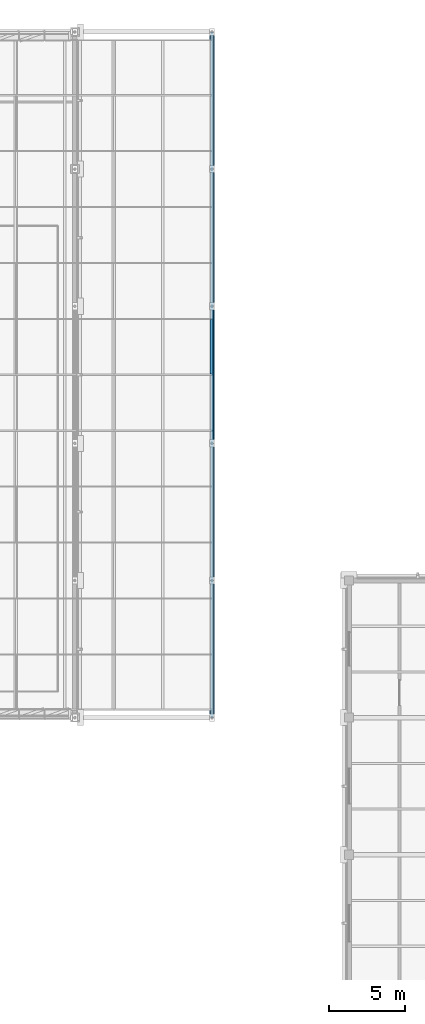
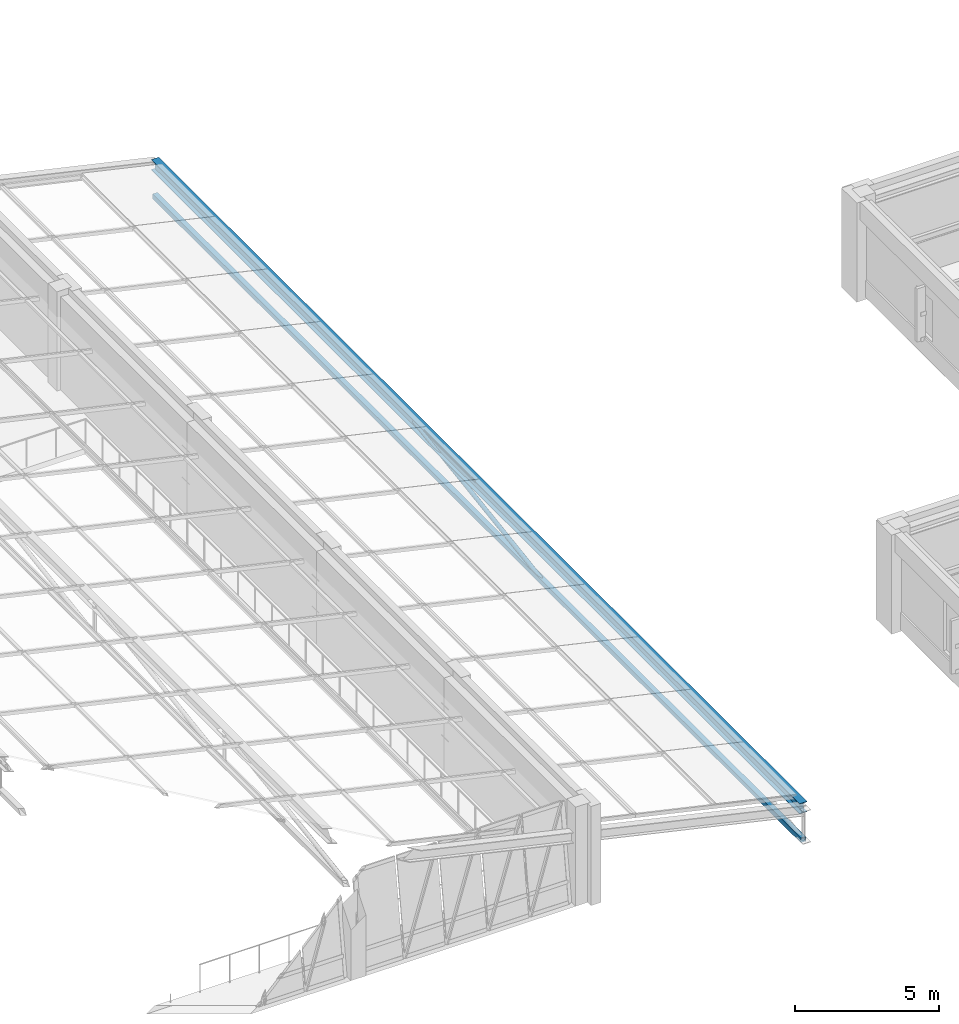
# One storey, part 87 of 130: 4 members, 1 element without a shape of its own.
"""IFC4 building model written with IfcOpenShell, lengths in metres."""

from ifc_helpers import new_model, si_unit, direction, frame, origin, origin_2d, place, context, subcontext, project, spatial, hollow_rectangle, hollow_circle, i_section, extrude, material, material_profile, profile_set, type_object, element, aggregate, save


model = new_model("IFC4")

# Units and contexts
model_context = context("Model", 3, precision=1e-05, world=origin(), true_north=direction((0.0, 1.0)))
body_context = subcontext(model_context, "Body", "Model", "MODEL_VIEW")
ifc_project = project(units=[si_unit("LENGTHUNIT", "METRE"), si_unit("AREAUNIT", "SQUARE_METRE"), si_unit("VOLUMEUNIT", "CUBIC_METRE"), si_unit("PLANEANGLEUNIT", "RADIAN"), si_unit("MASSUNIT", "GRAM", prefix="KILO")], contexts=[model_context])

# Site, building, storey
site_placement = place(None, origin())
site = spatial("IfcSite", under=ifc_project, at=site_placement, CompositionType="ELEMENT")
building_placement = place(site_placement, origin())
building = spatial("IfcBuilding", under=site, at=building_placement, Name="Lykobir Media Centre", CompositionType="ELEMENT")
storey_placement = place(building_placement, frame((0.0, 0.0, 19.199951171875)))
storey = spatial("IfcBuildingStorey", under=building, at=storey_placement, Name="L04", CompositionType="ELEMENT", Elevation=19.199951171875)

# Member
ifc_material_1 = material(Name="Steel S355", Category="steel")
ifc_material_profile_1 = material_profile(ifc_material_1, hollow_circle(Radius=0.084228515625, WallThickness=0.010009765625, at=origin_2d()), Name="CHS 168.3x10.0")
ifc_profile_set_1 = profile_set([ifc_material_profile_1], Name="Steel S355")
member_type_1 = type_object("IfcMemberType", Name="BR-CHS168-E", PredefinedType="BRACE", material=ifc_profile_set_1)
member_1_placement = place(storey_placement, frame((81.0, 81.0, -0.60986328125), z_axis=(0.0, 0.988938714016, 0.148324711095), x_axis=(-1.0, 0.0, 0.0)))
element("IfcMember", 1, at=member_1_placement, inside=storey, type_object=member_type_1, Name="Diagonal brace MEM2-L04-0810-0810-0186-0810-0900-0503", PredefinedType="BRACE", context=body_context, shape_type="SweptSolid", body=[
    extrude(hollow_circle(Radius=0.084228515625, WallThickness=0.010009765625, at=origin_2d()), origin(), (0.0, 0.0, 1.0), 9.1005859375),
])

# Curtain wall, member
ifc_material_2 = material(Name="Anodized Aluminium AW-6060", Category="aluminium")
curtain_wall_type = type_object("IfcCurtainWallType", Name="CW-V6-SKY", PredefinedType="NOTDEFINED", material=ifc_material_2)
curtain_wall_placement = place(storey_placement, origin())
curtain_wall = element("IfcCurtainWall", 2, at=curtain_wall_placement, inside=storey, type_object=curtain_wall_type, Name="Curtain wall CW-V6-SKY01", PredefinedType="NOTDEFINED")
ifc_material_profile_2 = material_profile(ifc_material_2, hollow_rectangle(XDim=0.074951171875, YDim=0.14990234375, WallThickness=0.00341796875, at=origin_2d()), Name="ALU TRANSOM 75x150")
ifc_profile_set_2 = profile_set([ifc_material_profile_2], Name="Anodized Aluminium AW-6060")
member_type_2 = type_object("IfcMemberType", Name="CWT-150", PredefinedType="USERDEFINED", material=ifc_profile_set_2)
member_2_placement = place(storey_placement, frame((80.941162109375, 89.132568359375, 0.909912109375), z_axis=(0.0, -1.0, 0.0), x_axis=(0.221054901821, 0.0, 0.975261365164)))
member_2 = element("IfcMember", 3, at=member_2_placement, type_object=member_type_2, Name="CW-V6-SKY01 transom 6.1", ObjectType="TRANSOM", PredefinedType="USERDEFINED", context=body_context, shape_type="SweptSolid", body=[
    extrude(hollow_rectangle(XDim=0.074951171875, YDim=0.14990234375, WallThickness=0.00341796875, at=origin_2d()), origin(), (0.0, 0.0, 1.0), 3.594970703125),
])
aggregate(curtain_wall, [member_2])

# Members
ifc_material_profile_3 = material_profile(ifc_material_1, i_section(OverallWidth=0.300048828125, OverallDepth=0.43994140625, WebThickness=0.011474609375, FlangeThickness=0.02099609375, at=origin_2d()), Name="HEA 450")
ifc_profile_set_3 = profile_set([ifc_material_profile_3], Name="Steel S355")
member_type_3 = type_object("IfcMemberType", Name="TC-HEA450-E", PredefinedType="CHORD", material=ifc_profile_set_3)
member_3_placement = place(storey_placement, frame((81.0, 63.0, 0.739990234375), z_axis=(0.0, 1.0, 0.0), x_axis=(-1.0, 0.0, 0.0)))
element("IfcMember", 4, at=member_3_placement, inside=storey, type_object=member_type_3, Name="Truss chord MEM2-L04-0810-0630-0199-0810-1080-0496", PredefinedType="CHORD", context=body_context, shape_type="SweptSolid", body=[
    extrude(i_section(OverallWidth=0.300048828125, OverallDepth=0.43994140625, WebThickness=0.011474609375, FlangeThickness=0.02099609375, at=origin_2d()), origin(), (0.0, 0.0, 1.0), 45.0),
])
ifc_material_profile_4 = material_profile(ifc_material_1, hollow_rectangle(XDim=0.199951171875, YDim=0.199951171875, WallThickness=0.010009765625, at=origin_2d()), Name="SHS 200x200x10")
ifc_profile_set_4 = profile_set([ifc_material_profile_4], Name="Steel S355")
member_type_4 = type_object("IfcMemberType", Name="TC-SHS200-E", PredefinedType="CHORD", material=ifc_profile_set_4)
member_4_placement = place(storey_placement, frame((81.0, 63.0, -0.60986328125), z_axis=(0.0, 1.0, 0.0), x_axis=(-1.0, 0.0, 0.0)))
element("IfcMember", 5, at=member_4_placement, inside=storey, type_object=member_type_4, Name="Truss chord MEM2-L04-0810-0630-0186-0810-1080-0497", PredefinedType="CHORD", context=body_context, shape_type="SweptSolid", body=[
    extrude(hollow_rectangle(XDim=0.199951171875, YDim=0.199951171875, WallThickness=0.010009765625, at=origin_2d()), origin(), (0.0, 0.0, 1.0), 45.0),
])

save(model, "model.ifc")
